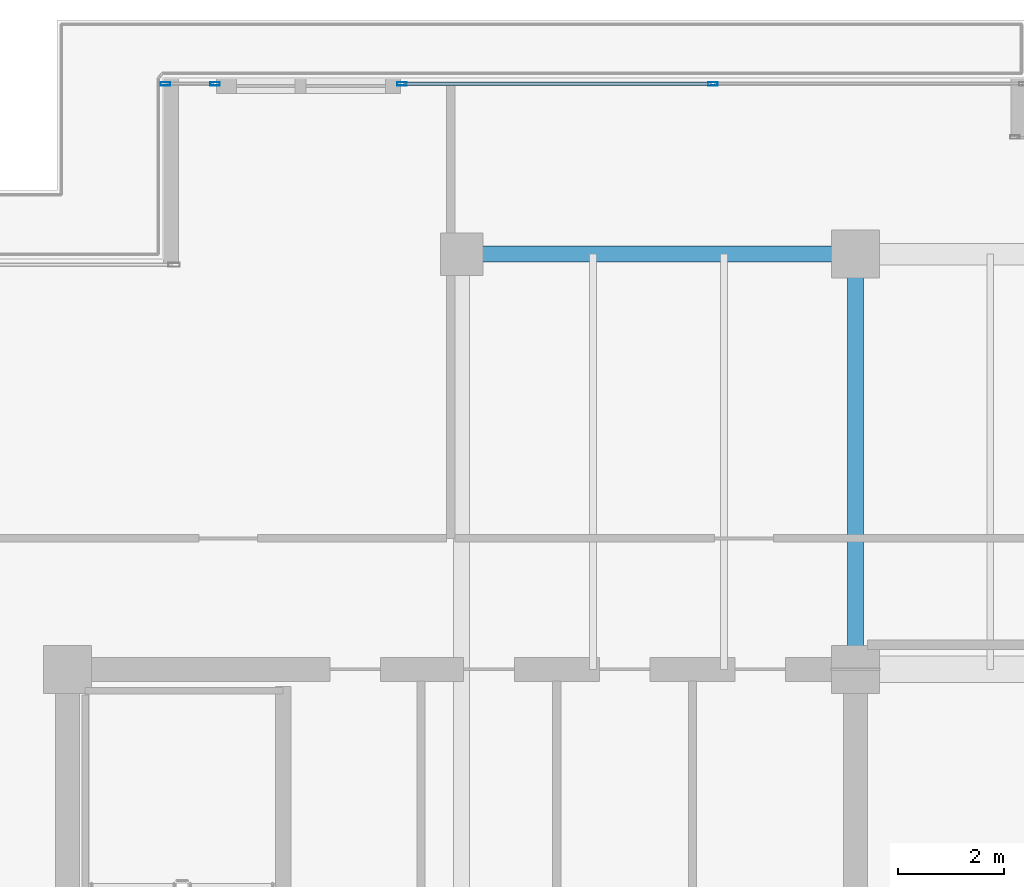
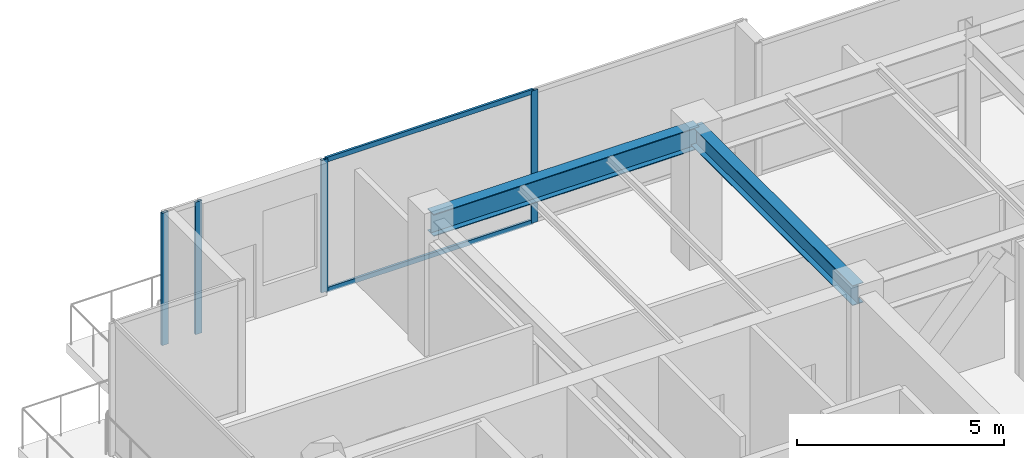
# One storey, part 19 of 34: 6 members, 2 beams, 2 elements without a shape of their own.
"""IFC4 building model written with IfcOpenShell, lengths in metres."""

from ifc_helpers import new_model, si_unit, direction, frame, origin, origin_2d, place, context, subcontext, project, spatial, hollow_rectangle, i_section, extrude, source, transform, mapped, material, layer, layer_set, material_profile, profile_set, type_object, type_shapes, element, aggregate, save


model = new_model("IFC4")

# Units and contexts
model_context = context("Model", 3, precision=1e-05, world=origin(), true_north=direction((0.0, 1.0)))
body_context = subcontext(model_context, "Body", "Model", "MODEL_VIEW")
ifc_project = project(units=[si_unit("LENGTHUNIT", "METRE"), si_unit("AREAUNIT", "SQUARE_METRE"), si_unit("VOLUMEUNIT", "CUBIC_METRE"), si_unit("PLANEANGLEUNIT", "RADIAN"), si_unit("MASSUNIT", "GRAM", prefix="KILO")], contexts=[model_context])

# Site, building, storey
site_placement = place(None, origin())
site = spatial("IfcSite", under=ifc_project, at=site_placement, CompositionType="ELEMENT")
building_placement = place(site_placement, origin())
building = spatial("IfcBuilding", under=site, at=building_placement, Name="Haelvirn Gate Laboratories", CompositionType="ELEMENT")
storey_placement = place(building_placement, frame((0.0, 0.0, 297.60009765625)))
storey = spatial("IfcBuildingStorey", under=building, at=storey_placement, Name="L71", CompositionType="ELEMENT", Elevation=297.60009765625)

# Beams
ifc_material_1 = material(Name="Steel SM355", Category="steel")
ifc_material_profile_1 = material_profile(ifc_material_1, i_section(OverallWidth=0.300048828125, OverallDepth=0.587890625, WebThickness=0.011962890625, FlangeThickness=0.02001953125, at=origin_2d()), Name="H-588x300x12x20")
ifc_profile_set_1 = profile_set([ifc_material_profile_1], Name="Steel SM355")
beam_type_1 = type_object("IfcBeamType", Name="BM-G-588", PredefinedType="BEAM", material=ifc_profile_set_1)
shared_shape_1 = source(origin(), body_context, "Body", "SweptSolid", [
    extrude(i_section(OverallWidth=0.300048828125, OverallDepth=0.587890625, WebThickness=0.011962890625, FlangeThickness=0.02001953125, at=origin_2d()), origin(), (0.0, 0.0, 1.0), 7.800048828125),
])
type_shapes(beam_type_1, [shared_shape_1])
beam_1_placement = place(storey_placement, frame((22.199951171875, 33.800048828125, 3.60595703125), z_axis=(0.0, 1.0, 0.0), x_axis=(-1.0, 0.0, 0.0)))
element("IfcBeam", 1, at=beam_1_placement, inside=storey, type_object=beam_type_1, Name="L71 Frame Girder X22.2 (33.8-41.6)", PredefinedType="BEAM", context=body_context, shape_type="MappedRepresentation", body=[
    mapped(shared_shape_1, transform((0.0, 0.0, 0.0), scale=1.0)),
])
ifc_material_profile_2 = material_profile(ifc_material_1, i_section(OverallWidth=0.300048828125, OverallDepth=0.64990234375, WebThickness=0.012939453125, FlangeThickness=0.02197265625, at=origin_2d()), Name="H-650x300x13x22")
ifc_profile_set_2 = profile_set([ifc_material_profile_2], Name="Steel SM355")
beam_type_2 = type_object("IfcBeamType", Name="BM-G-650", PredefinedType="BEAM", material=ifc_profile_set_2)
shared_shape_2 = source(origin(), body_context, "Body", "SweptSolid", [
    extrude(i_section(OverallWidth=0.300048828125, OverallDepth=0.64990234375, WebThickness=0.012939453125, FlangeThickness=0.02197265625, at=origin_2d()), origin(), (0.0, 0.0, 1.0), 7.39990234375),
])
type_shapes(beam_type_2, [shared_shape_2])
beam_2_placement = place(storey_placement, frame((14.800048828125, 41.60009765625, 3.574951171875), z_axis=(1.0, 0.0, 0.0), x_axis=(0.0, 1.0, 0.0)))
element("IfcBeam", 2, at=beam_2_placement, inside=storey, type_object=beam_type_2, Name="L71 Primary Girder Y41.6 (14.8-22.2)", PredefinedType="BEAM", context=body_context, shape_type="MappedRepresentation", body=[
    mapped(shared_shape_2, transform((0.0, 0.0, 0.0), scale=1.0)),
])

# Curtain wall, members
ifc_material_2 = material(Name="Anodised bronze unitised aluminium & triple low-E glass", Category="aluminium")
ifc_layer = layer(ifc_material_2, 0.176025390625, Name="CW-SYS-4")
ifc_layer_set = layer_set([ifc_layer], Name="Anodised bronze unitised aluminium & triple low-E glass")
curtain_wall_type = type_object("IfcCurtainWallType", Name="CW-SYS-4", PredefinedType="NOTDEFINED", material=ifc_layer_set)
curtain_wall_1_placement = place(storey_placement, origin())
curtain_wall_1 = element("IfcCurtainWall", 3, at=curtain_wall_1_placement, inside=storey, type_object=curtain_wall_type, Name="L71 Unitised Curtain Wall CW-L71-P0-E14-1", PredefinedType="NOTDEFINED")
ifc_material_3 = material(Name="Extruded aluminium 6063-T6 (anodised bronze)", Category="aluminium")
ifc_material_profile_3 = material_profile(ifc_material_3, hollow_rectangle(XDim=0.070068359375, YDim=0.179931640625, WallThickness=0.0048828125, at=origin_2d()), Name="CWM-180x70x5")
ifc_profile_set_3 = profile_set([ifc_material_profile_3], Name="Extruded aluminium 6063-T6 (anodised bronze)")
member_type_1 = type_object("IfcMemberType", Name="CWM-T180", PredefinedType="MULLION", material=ifc_profile_set_3)
shared_shape_3 = source(origin(), body_context, "Body", "SweptSolid", [
    extrude(hollow_rectangle(XDim=0.070068359375, YDim=0.179931640625, WallThickness=0.0048828125, at=origin_2d()), origin(), (0.0, 0.0, 1.0), 3.89990234375),
])
type_shapes(member_type_1, [shared_shape_3])
member_1_placement = place(storey_placement, frame((9.235107421875, 44.800048828125, 0.0), z_axis=(0.0, 0.0, 1.0), x_axis=(0.0, 1.0, 0.0)))
member_1 = element("IfcMember", 4, at=member_1_placement, type_object=member_type_1, Name="CW4 mullion 1", PredefinedType="MULLION", context=body_context, shape_type="MappedRepresentation", body=[
    mapped(shared_shape_3, transform((0.0, 0.0, 0.0), scale=1.0)),
])
member_2_placement = place(storey_placement, frame((10.169921875, 44.800048828125, 0.0), z_axis=(0.0, 0.0, 1.0), x_axis=(0.0, 1.0, 0.0)))
member_2 = element("IfcMember", 5, at=member_2_placement, type_object=member_type_1, Name="CW4 mullion 2", PredefinedType="MULLION", context=body_context, shape_type="MappedRepresentation", body=[
    mapped(shared_shape_3, transform((0.0, 0.0, 0.0), scale=1.0)),
])
aggregate(curtain_wall_1, [member_1, member_2])

curtain_wall_2_placement = place(storey_placement, origin())
curtain_wall_2 = element("IfcCurtainWall", 6, at=curtain_wall_2_placement, inside=storey, type_object=curtain_wall_type, Name="L71 Unitised Curtain Wall CW-L71-P0-E14-2", PredefinedType="NOTDEFINED")
member_3_placement = place(storey_placement, frame((13.679931640625, 44.800048828125, 0.0), z_axis=(0.0, 0.0, 1.0), x_axis=(0.0, 1.0, 0.0)))
member_3 = element("IfcMember", 7, at=member_3_placement, type_object=member_type_1, Name="CW4 mullion 1", PredefinedType="MULLION", context=body_context, shape_type="MappedRepresentation", body=[
    mapped(shared_shape_3, transform((0.0, 0.0, 0.0), scale=1.0)),
])
member_4_placement = place(storey_placement, frame((19.5224609375, 44.800048828125, 0.0), z_axis=(0.0, 0.0, 1.0), x_axis=(0.0, 1.0, 0.0)))
member_4 = element("IfcMember", 8, at=member_4_placement, type_object=member_type_1, Name="CW4 mullion 2", PredefinedType="MULLION", context=body_context, shape_type="MappedRepresentation", body=[
    mapped(shared_shape_3, transform((0.0, 0.0, 0.0), scale=1.0)),
])
ifc_material_profile_4 = material_profile(ifc_material_3, hollow_rectangle(XDim=0.06494140625, YDim=0.139892578125, WallThickness=0.00390625, at=origin_2d()), Name="CWT-140x65x4")
ifc_profile_set_4 = profile_set([ifc_material_profile_4], Name="Extruded aluminium 6063-T6 (anodised bronze)")
member_type_2 = type_object("IfcMemberType", Name="CWT-T140", PredefinedType="USERDEFINED", material=ifc_profile_set_4)
shared_shape_4 = source(origin(), body_context, "Body", "SweptSolid", [
    extrude(hollow_rectangle(XDim=0.06494140625, YDim=0.139892578125, WallThickness=0.00390625, at=origin_2d()), origin(), (0.0, 0.0, 1.0), 5.7724609375),
])
type_shapes(member_type_2, [shared_shape_4])
member_5_placement = place(storey_placement, frame((13.715087890625, 44.800048828125, 0.032470703125), z_axis=(1.0, 0.0, 0.0), x_axis=(0.0, 1.0, 0.0)))
member_5 = element("IfcMember", 9, at=member_5_placement, type_object=member_type_2, Name="CW4 transom 1.1", ObjectType="TRANSOM", PredefinedType="USERDEFINED", context=body_context, shape_type="MappedRepresentation", body=[
    mapped(shared_shape_4, transform((0.0, 0.0, 0.0), scale=1.0)),
])
member_6_placement = place(storey_placement, frame((13.715087890625, 44.800048828125, 3.867431640625), z_axis=(1.0, 0.0, 0.0), x_axis=(0.0, 1.0, 0.0)))
member_6 = element("IfcMember", 10, at=member_6_placement, type_object=member_type_2, Name="CW4 transom 1.2", ObjectType="TRANSOM", PredefinedType="USERDEFINED", context=body_context, shape_type="MappedRepresentation", body=[
    mapped(shared_shape_4, transform((0.0, 0.0, 0.0), scale=1.0)),
])
aggregate(curtain_wall_2, [member_3, member_4, member_5, member_6])

save(model, "model.ifc")
